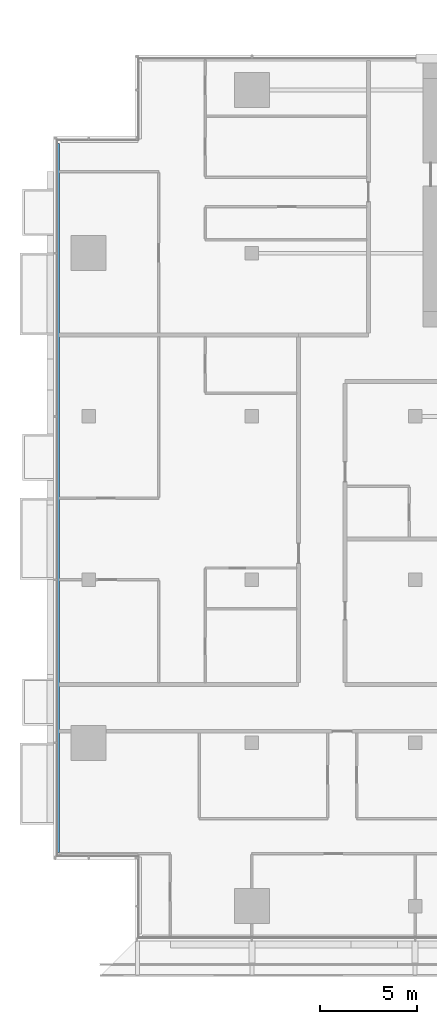
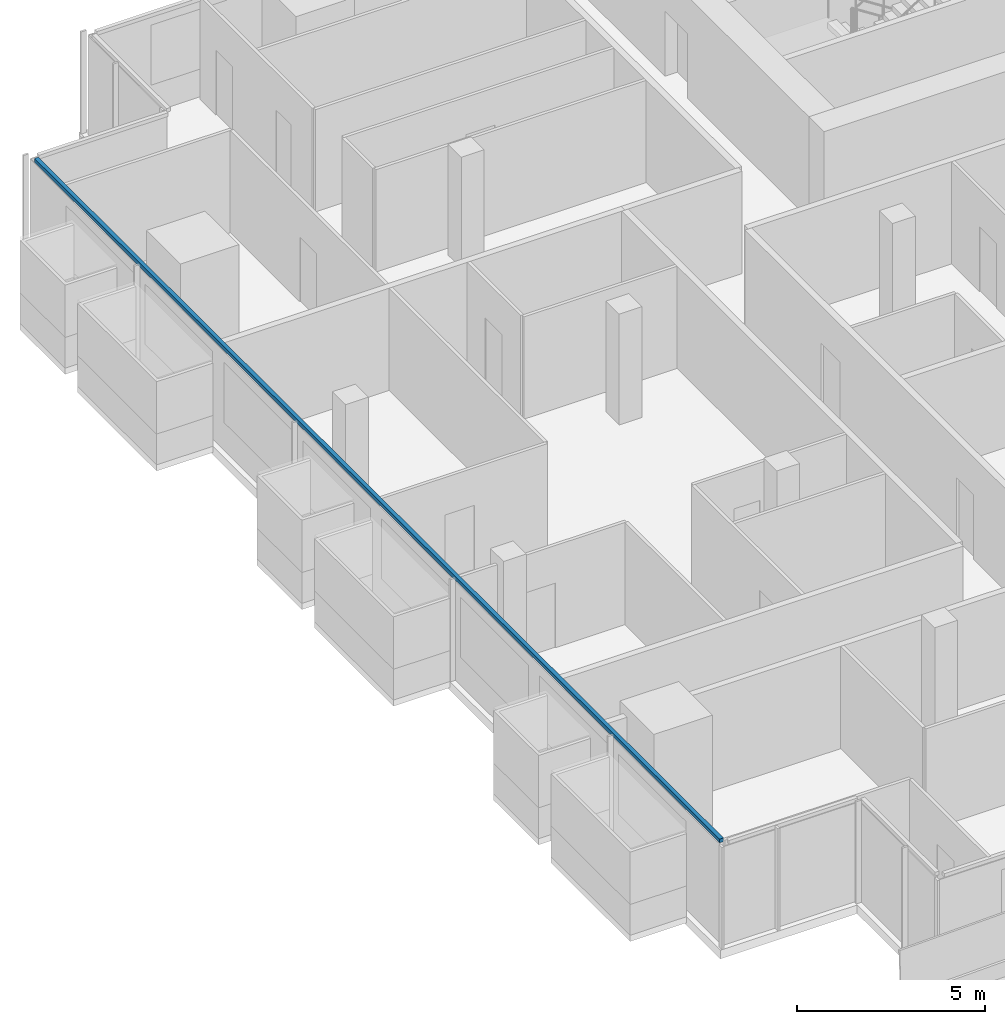
# One storey, part 3 of 31: 1 member, 1 element without a shape of its own.
"""IFC4 building model written with IfcOpenShell, lengths in metres."""

from ifc_helpers import new_model, si_unit, direction, frame, origin, origin_2d, place, context, subcontext, project, spatial, rectangle, extrude, material, material_profile, profile_set, type_object, element, aggregate, save


model = new_model("IFC4")

# Units and contexts
model_context = context("Model", 3, precision=1e-05, world=origin(), true_north=direction((0.0, 1.0)))
body_context = subcontext(model_context, "Body", "Model", "MODEL_VIEW")
ifc_project = project(units=[si_unit("LENGTHUNIT", "METRE"), si_unit("AREAUNIT", "SQUARE_METRE"), si_unit("VOLUMEUNIT", "CUBIC_METRE"), si_unit("PLANEANGLEUNIT", "RADIAN"), si_unit("MASSUNIT", "GRAM", prefix="KILO")], contexts=[model_context])

# Site, building, storey
site_placement = place(None, origin())
site = spatial("IfcSite", under=ifc_project, at=site_placement, CompositionType="ELEMENT")
building_placement = place(site_placement, origin())
building = spatial("IfcBuilding", under=site, at=building_placement, Name="Saffron Gate Tower", CompositionType="ELEMENT")
storey_placement = place(building_placement, frame((0.0, 0.0, 147.449951171875)))
storey = spatial("IfcBuildingStorey", under=building, at=storey_placement, Name="L35", CompositionType="ELEMENT", Elevation=147.449951171875)

# Curtain wall, member
ifc_material = material(Name="Aluminium, bronze anodised", Category="aluminium")
curtain_wall_type = type_object("IfcCurtainWallType", Name="CWS2 curtain wall side facades", PredefinedType="NOTDEFINED", material=ifc_material)
curtain_wall_placement = place(storey_placement, origin())
curtain_wall = element("IfcCurtainWall", 1, at=curtain_wall_placement, inside=storey, type_object=curtain_wall_type, Name="CWS2 run 10", PredefinedType="NOTDEFINED")
ifc_material_profile = material_profile(ifc_material, rectangle(XDim=0.1201171875, YDim=0.1201171875, at=origin_2d()))
ifc_profile_set = profile_set([ifc_material_profile], Name="Aluminium, bronze anodised")
member_type = type_object("IfcMemberType", Name="CWS2 head transom", PredefinedType="USERDEFINED", material=ifc_profile_set)
member_placement = place(storey_placement, frame((48.248046875, 71.031982421875, 3.260009765625), z_axis=(0.0, -1.0, 0.0), x_axis=(1.0, 0.0, 0.0)))
member = element("IfcMember", 2, at=member_placement, type_object=member_type, Name="CWS2 head transom", ObjectType="TRANSOM", PredefinedType="USERDEFINED", context=body_context, shape_type="SweptSolid", body=[
    extrude(rectangle(XDim=0.1201171875, YDim=0.1201171875, at=origin_2d()), origin(), (0.0, 0.0, 1.0), 36.4638671875),
])
aggregate(curtain_wall, [member])

save(model, "model.ifc")
